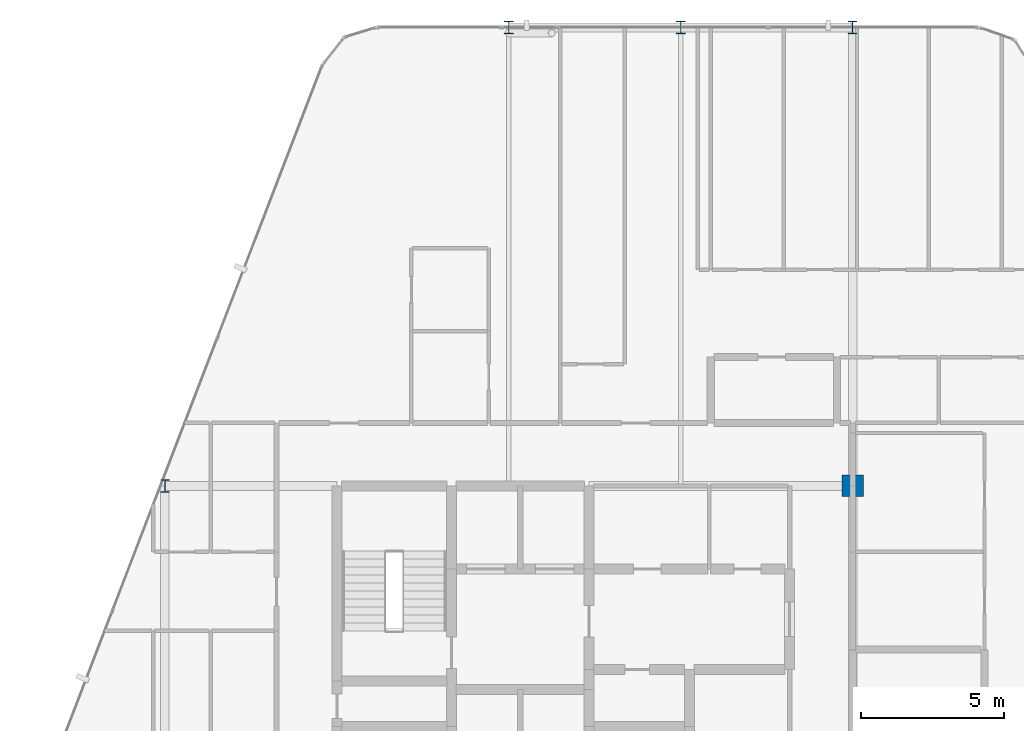
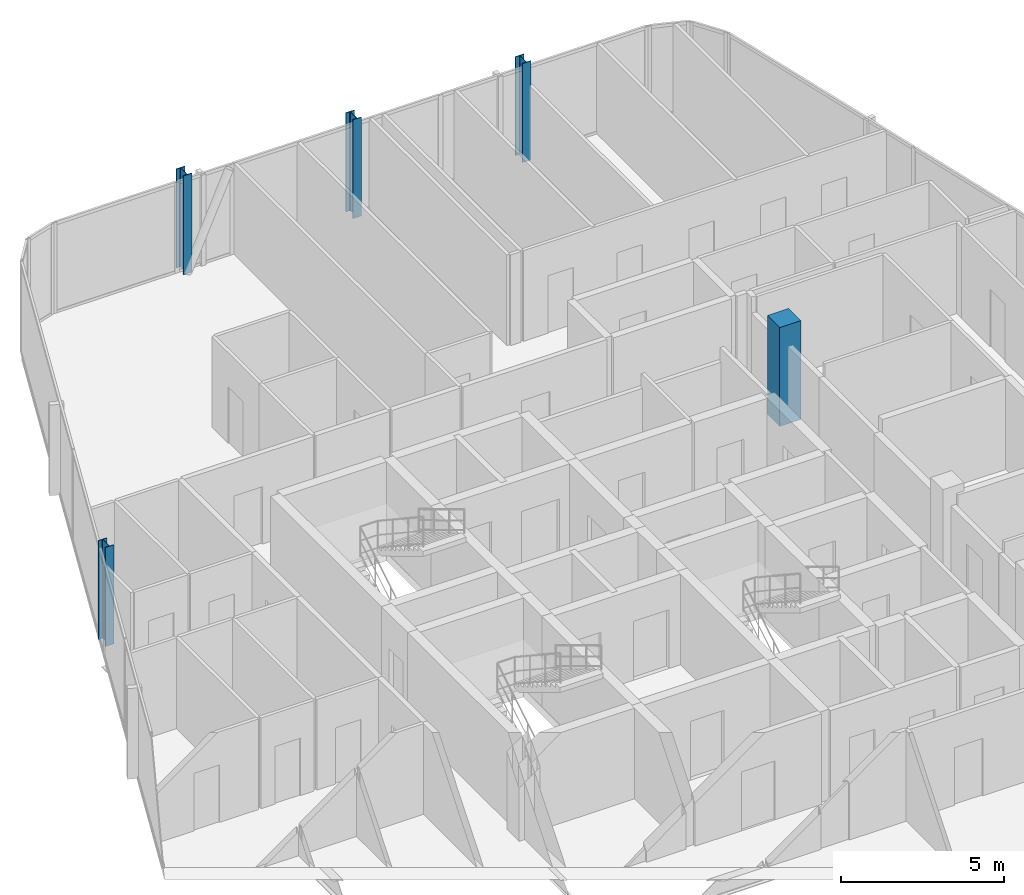
# One storey, part 3 of 29: 5 columns.
"""IFC4 building model written with IfcOpenShell, lengths in metres."""

from ifc_helpers import new_model, si_unit, direction, frame, origin, origin_2d, place, context, subcontext, project, spatial, rectangle, i_section, extrude, material, material_profile, profile_set, type_object, element, save


model = new_model("IFC4")

# Units and contexts
model_context = context("Model", 3, precision=1e-05, world=origin(), true_north=direction((0.0, 1.0)))
body_context = subcontext(model_context, "Body", "Model", "MODEL_VIEW")
ifc_project = project(units=[si_unit("LENGTHUNIT", "METRE"), si_unit("AREAUNIT", "SQUARE_METRE"), si_unit("VOLUMEUNIT", "CUBIC_METRE"), si_unit("PLANEANGLEUNIT", "RADIAN"), si_unit("MASSUNIT", "GRAM", prefix="KILO")], contexts=[model_context])

# Site, building, storey
site_placement = place(None, origin())
site = spatial("IfcSite", under=ifc_project, at=site_placement, CompositionType="ELEMENT")
building_placement = place(site_placement, origin())
building = spatial("IfcBuilding", under=site, at=building_placement, Name="Keshet Zoharim Tower", CompositionType="ELEMENT")
storey_placement = place(building_placement, frame((0.0, 0.0, 226.5)))
storey = spatial("IfcBuildingStorey", under=building, at=storey_placement, Name="L56", CompositionType="ELEMENT", Elevation=226.5)

# Columns
ifc_material_1 = material(Name="Steel S355", Category="steel")
ifc_material_profile_1 = material_profile(ifc_material_1, i_section(OverallWidth=0.300048828125, OverallDepth=0.449951171875, WebThickness=0.013916015625, FlangeThickness=0.02587890625, FilletRadius=0.027099609375, at=origin_2d()), Name="HEB450")
ifc_profile_set_1 = profile_set([ifc_material_profile_1], Name="Steel S355")
column_type_1 = type_object("IfcColumnType", Name="COL-HEB450", PredefinedType="COLUMN", material=ifc_profile_set_1)
for number, where, z_axis, x_axis, name in (
    (1, (9.0, 37.89990234375, 0.0), (0.0, 0.0, 1.0), (1.0, 0.0, 0.0), "L56 Column 2H"),
    (2, (21.0, 53.89990234375, 0.0), (0.0, 0.0, 1.0), (1.0, 0.0, 0.0), "L56 Column 4L"),
    (3, (27.0, 53.89990234375, 0.0), (0.0, 0.0, 1.0), (1.0, 0.0, 0.0), "L56 Column 5L"),
    (4, (33.0, 53.89990234375, 0.0), (0.0, 0.0, 1.0), (1.0, 0.0, 0.0), "L56 Column 6L"),
):
    element("IfcColumn", number, at=place(storey_placement, frame(where, z_axis=z_axis, x_axis=x_axis)), inside=storey, type_object=column_type_1, Name=name, PredefinedType="COLUMN", context=body_context, shape_type="SweptSolid", body=[
        extrude(i_section(OverallWidth=0.300048828125, OverallDepth=0.449951171875, WebThickness=0.013916015625, FlangeThickness=0.02587890625, FilletRadius=0.027099609375, at=origin_2d()), origin(), (0.0, 0.0, 1.0), 3.699951171875),
    ])
ifc_material_2 = material(Name="Concrete C50/60", Category="concrete")
ifc_material_profile_2 = material_profile(ifc_material_2, rectangle(XDim=0.75, YDim=0.75, at=origin_2d()), Name="RC750x750")
ifc_profile_set_2 = profile_set([ifc_material_profile_2], Name="Concrete C50/60")
column_type_2 = type_object("IfcColumnType", Name="COL-RC750", PredefinedType="COLUMN", material=ifc_profile_set_2)
column_placement = place(storey_placement, frame((33.0, 37.89990234375, 0.0), z_axis=(0.0, 0.0, 1.0), x_axis=(1.0, 0.0, 0.0)))
element("IfcColumn", 5, at=column_placement, inside=storey, type_object=column_type_2, Name="L56 Column 6H", PredefinedType="COLUMN", context=body_context, shape_type="SweptSolid", body=[
    extrude(rectangle(XDim=0.75, YDim=0.75, at=origin_2d()), origin(), (0.0, 0.0, 1.0), 3.699951171875),
])

save(model, "model.ifc")
